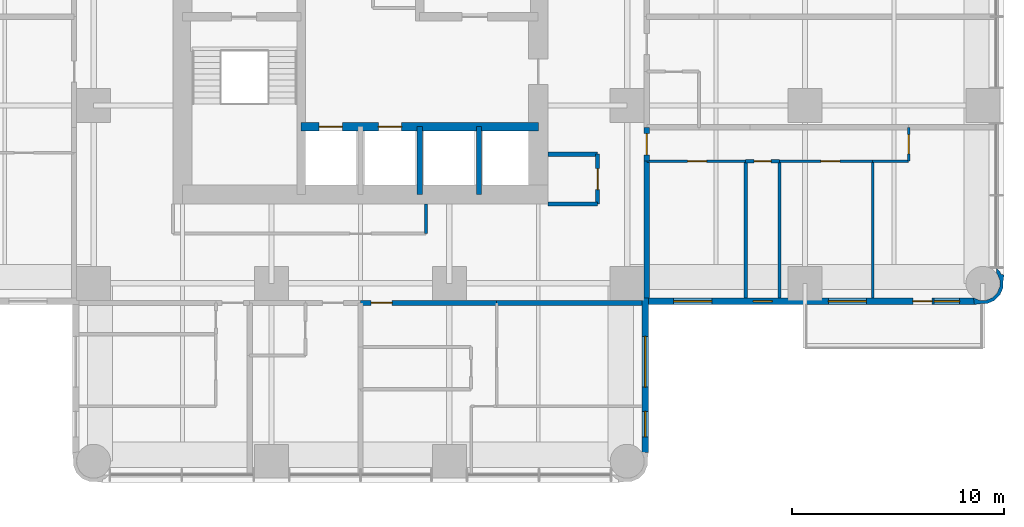
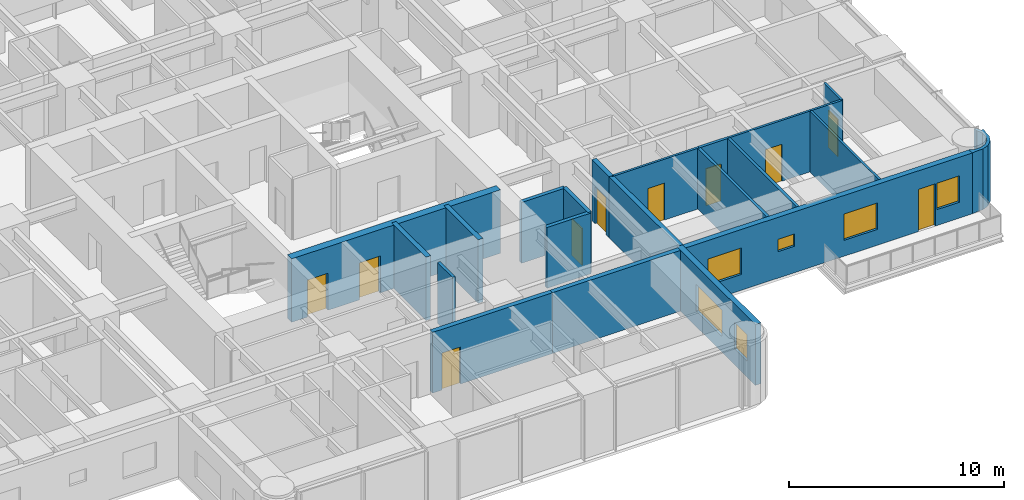
# One storey, part 9 of 14: 22 walls, 10 doors, 6 windows, 16 openings.
"""IFC4 building model written with IfcOpenShell, lengths in metres."""

from ifc_helpers import new_model, si_unit, direction, frame, frame_2d, origin, place, context, subcontext, project, spatial, polyline, rectangle, outline, extrude, material, layer, layer_set, type_object, element, fill, save


model = new_model("IFC4")

# Units and contexts
model_context = context("Model", 3, precision=1e-05, world=origin(), true_north=direction((0.0, 1.0)))
body_context = subcontext(model_context, "Body", "Model", "MODEL_VIEW")
ifc_project = project(units=[si_unit("LENGTHUNIT", "METRE"), si_unit("AREAUNIT", "SQUARE_METRE"), si_unit("VOLUMEUNIT", "CUBIC_METRE"), si_unit("PLANEANGLEUNIT", "RADIAN"), si_unit("MASSUNIT", "GRAM", prefix="KILO")], contexts=[model_context])

# Site, building, storey
site_placement = place(None, origin())
site = spatial("IfcSite", under=ifc_project, at=site_placement, CompositionType="ELEMENT")
building_placement = place(site_placement, origin())
building = spatial("IfcBuilding", under=site, at=building_placement, Name="Torre Alcanfor", CompositionType="ELEMENT")
storey_placement = place(building_placement, frame((0.0, 0.0, 166.5)))
storey = spatial("IfcBuildingStorey", under=building, at=storey_placement, Name="L43", CompositionType="ELEMENT", Elevation=166.5)

# Wall, opening, door
ifc_material_1 = material(Name="Concrete block masonry, hollow blocks NMX-C-404 9 MPa", Category="masonry")
ifc_layer_1 = layer(ifc_material_1, 0.25)
ifc_layer_set_1 = layer_set([ifc_layer_1], Name="Apartment entrance wall 250 EI 60")
wall_type_1 = type_object("IfcWallType", Name="Apartment entrance wall 250 EI 60", PredefinedType="PARTITIONING", material=ifc_layer_set_1)
wall_1_placement = place(storey_placement, frame((42.925048828125, 24.1708984375, 0.0), z_axis=(0.0, 0.0, 1.0), x_axis=(0.0, -1.0, 0.0)))
wall_1 = element("IfcWall", 1, at=wall_1_placement, inside=storey, type_object=wall_type_1, Name="Partition L43-CORR / L43-E2B-HALL", PredefinedType="PARTITIONING", context=body_context, shape_type="SweptSolid", body=[
    extrude(rectangle(XDim=1.599853515625, YDim=0.25, at=frame_2d((0.7998046875, 0.0))), origin(), (0.0, 0.0, 1.0), 3.449951171875),
])
opening_1_placement = place(wall_1_placement, frame((0.300048828125, 0.0, 0.0)))
opening_1 = element("IfcOpeningElement", 2, at=opening_1_placement, cuts=wall_1, Name="Opening D-A1", PredefinedType="OPENING", context=body_context, shape_type="SweptSolid", body=[
    extrude(rectangle(XDim=1.0, YDim=2.10009765625, at=frame_2d((0.5, 1.050048828125))), frame((0.0, 0.135009765625, 0.0), z_axis=(0.0, -1.0, 0.0), x_axis=(1.0, 0.0, 0.0)), (0.0, 0.0, 1.0), 0.27001953125),
])
ifc_material_2 = material(Name="Galvanised steel sheet ASTM A653", Category="steel")
door_type_1 = type_object("IfcDoorType", Name="Apartment entrance door FD60 1000x2100", OperationType="SINGLE_SWING_LEFT", PredefinedType="DOOR", material=ifc_material_2)
door_1_placement = place(opening_1_placement, origin())
door_1 = element("IfcDoor", 3, at=door_1_placement, inside=storey, type_object=door_type_1, Name="Apartment entrance L43-E2B", OperationType="SINGLE_SWING_LEFT", OverallHeight=2.10009765625, OverallWidth=1.0, PredefinedType="DOOR", context=body_context, shape_type="SweptSolid", body=[
    extrude(rectangle(XDim=1.0, YDim=2.10009765625, at=frame_2d((0.5, 1.050048828125))), frame((0.0, 0.02490234375, 0.0), z_axis=(0.0, -1.0, 0.0), x_axis=(1.0, 0.0, 0.0)), (0.0, 0.0, 1.0), 0.050048828125),
])
fill(opening_1, door_1)

# Wall
wall_2_placement = place(storey_placement, frame((42.925048828125, 22.571044921875, 0.0), z_axis=(0.0, 0.0, 1.0), x_axis=(0.0, -1.0, 0.0)))
element("IfcWall", 4, at=wall_2_placement, inside=storey, type_object=wall_type_1, Name="Partition L43-CORR / L43-E2B-MASTER", PredefinedType="PARTITIONING", context=body_context, shape_type="SweptSolid", body=[
    extrude(rectangle(XDim=6.470947265625, YDim=0.25, at=frame_2d((3.2353515625, 0.0))), origin(), (0.0, 0.0, 1.0), 3.449951171875),
])

# Wall, opening, door
wall_3_placement = place(storey_placement, frame((35.8291015625, 15.875, 0.0), z_axis=(0.0, 0.0, 1.0), x_axis=(-1.0, 0.0, 0.0)))
wall_3 = element("IfcWall", 5, at=wall_3_placement, inside=storey, type_object=wall_type_1, Name="Partition L43-CORR / L43-S1-LIVING", PredefinedType="PARTITIONING", context=body_context, shape_type="SweptSolid", body=[
    extrude(rectangle(XDim=6.42919921875, YDim=0.25, at=frame_2d((3.214599609375, 0.0))), origin(), (0.0, 0.0, 1.0), 3.449951171875),
])
opening_2_placement = place(wall_3_placement, frame((4.928955078125, 0.0, 0.0)))
opening_2 = element("IfcOpeningElement", 6, at=opening_2_placement, cuts=wall_3, Name="Opening D-A1", PredefinedType="OPENING", context=body_context, shape_type="SweptSolid", body=[
    extrude(rectangle(XDim=1.0, YDim=2.10009765625, at=frame_2d((0.5, 1.050048828125))), frame((0.0, 0.135009765625, 0.0), z_axis=(0.0, -1.0, 0.0), x_axis=(1.0, 0.0, 0.0)), (0.0, 0.0, 1.0), 0.27001953125),
])
door_2_placement = place(opening_2_placement, origin())
door_2 = element("IfcDoor", 7, at=door_2_placement, inside=storey, type_object=door_type_1, Name="Apartment entrance L43-S1", OperationType="SINGLE_SWING_RIGHT", OverallHeight=2.10009765625, OverallWidth=1.0, PredefinedType="DOOR", context=body_context, shape_type="SweptSolid", body=[
    extrude(rectangle(XDim=1.0, YDim=2.10009765625, at=frame_2d((0.5, 1.050048828125))), frame((0.0, 0.02490234375, 0.0), z_axis=(0.0, -1.0, 0.0), x_axis=(1.0, 0.0, 0.0)), (0.0, 0.0, 1.0), 0.050048828125),
])
fill(opening_2, door_2)

# Wall
wall_4_placement = place(storey_placement, frame((42.699951171875, 15.875, 0.0), z_axis=(0.0, 0.0, 1.0), x_axis=(-1.0, 0.0, 0.0)))
element("IfcWall", 8, at=wall_4_placement, inside=storey, type_object=wall_type_1, Name="Partition L43-CORR / L43-S1-BED2", PredefinedType="PARTITIONING", context=body_context, shape_type="SweptSolid", body=[
    extrude(rectangle(XDim=6.870849609375, YDim=0.25, at=frame_2d((3.435546875, 0.0))), origin(), (0.0, 0.0, 1.0), 3.449951171875),
])

# Wall, opening, door
ifc_material_3 = material(Name="Gypsum board on steel studs", Category="steel")
ifc_layer_2 = layer(ifc_material_3, 0.1201171875)
ifc_layer_set_2 = layer_set([ifc_layer_2], Name="Apartment partition 120")
wall_type_2 = type_object("IfcWallType", Name="Apartment partition 120", PredefinedType="PARTITIONING", material=ifc_layer_set_2)
wall_5_placement = place(storey_placement, frame((47.60009765625, 22.571044921875, 0.0), z_axis=(0.0, 0.0, 1.0), x_axis=(-1.0, 0.0, 0.0)))
wall_5 = element("IfcWall", 9, at=wall_5_placement, inside=storey, type_object=wall_type_2, Name="Partition L43-E2B-HALL / L43-E2B-MASTER", PredefinedType="PARTITIONING", context=body_context, shape_type="SweptSolid", body=[
    extrude(rectangle(XDim=4.675048828125, YDim=0.1201171875, at=frame_2d((2.33740234375, 0.0))), origin(), (0.0, 0.0, 1.0), 3.449951171875),
])
opening_3_placement = place(wall_5_placement, frame((1.85009765625, 0.0, 0.0)))
opening_3 = element("IfcOpeningElement", 10, at=opening_3_placement, cuts=wall_5, Name="Opening D-R1", PredefinedType="OPENING", context=body_context, shape_type="SweptSolid", body=[
    extrude(rectangle(XDim=0.89990234375, YDim=2.10009765625, at=frame_2d((0.449951171875, 1.050048828125))), frame((0.0, 0.070068359375, 0.0), z_axis=(0.0, -1.0, 0.0), x_axis=(1.0, 0.0, 0.0)), (0.0, 0.0, 1.0), 0.14013671875),
])
ifc_material_4 = material(Name="Timber", Category="wood")
door_type_2 = type_object("IfcDoorType", Name="Internal door 900x2100", OperationType="SINGLE_SWING_LEFT", PredefinedType="DOOR", material=ifc_material_4)
door_3_placement = place(opening_3_placement, origin())
door_3 = element("IfcDoor", 11, at=door_3_placement, inside=storey, type_object=door_type_2, Name="Door L43-E2B master", OperationType="SINGLE_SWING_LEFT", OverallHeight=2.10009765625, OverallWidth=0.89990234375, PredefinedType="DOOR", context=body_context, shape_type="SweptSolid", body=[
    extrude(rectangle(XDim=0.89990234375, YDim=2.10009765625, at=frame_2d((0.449951171875, 1.050048828125))), frame((0.0, 0.02490234375, 0.0), z_axis=(0.0, -1.0, 0.0), x_axis=(1.0, 0.0, 0.0)), (0.0, 0.0, 1.0), 0.050048828125),
])
fill(opening_3, door_3)

wall_6_placement = place(storey_placement, frame((53.60009765625, 22.571044921875, 0.0), z_axis=(0.0, 0.0, 1.0), x_axis=(-1.0, 0.0, 0.0)))
wall_6 = element("IfcWall", 12, at=wall_6_placement, inside=storey, type_object=wall_type_2, Name="Partition L43-E2B-HALL / L43-E2B-STUDY", PredefinedType="PARTITIONING", context=body_context, shape_type="SweptSolid", body=[
    extrude(rectangle(XDim=4.400146484375, YDim=0.1201171875, at=frame_2d((2.2001953125, 0.0))), origin(), (0.0, 0.0, 1.0), 3.449951171875),
])
opening_4_placement = place(wall_6_placement, frame((1.550048828125, 0.0, 0.0)))
opening_4 = element("IfcOpeningElement", 13, at=opening_4_placement, cuts=wall_6, Name="Opening D-R1", PredefinedType="OPENING", context=body_context, shape_type="SweptSolid", body=[
    extrude(rectangle(XDim=0.89990234375, YDim=2.10009765625, at=frame_2d((0.449951171875, 1.050048828125))), frame((0.0, 0.070068359375, 0.0), z_axis=(0.0, -1.0, 0.0), x_axis=(1.0, 0.0, 0.0)), (0.0, 0.0, 1.0), 0.14013671875),
])
door_4_placement = place(opening_4_placement, origin())
door_4 = element("IfcDoor", 14, at=door_4_placement, inside=storey, type_object=door_type_2, Name="Door L43-E2B study", OperationType="SINGLE_SWING_LEFT", OverallHeight=2.10009765625, OverallWidth=0.89990234375, PredefinedType="DOOR", context=body_context, shape_type="SweptSolid", body=[
    extrude(rectangle(XDim=0.89990234375, YDim=2.10009765625, at=frame_2d((0.449951171875, 1.050048828125))), frame((0.0, 0.02490234375, 0.0), z_axis=(0.0, -1.0, 0.0), x_axis=(1.0, 0.0, 0.0)), (0.0, 0.0, 1.0), 0.050048828125),
])
fill(opening_4, door_4)

# Wall
wall_7_placement = place(storey_placement, frame((55.300048828125, 22.571044921875, 0.0), z_axis=(0.0, 0.0, 1.0), x_axis=(-1.0, 0.0, 0.0)))
element("IfcWall", 15, at=wall_7_placement, inside=storey, type_object=wall_type_2, Name="Partition L43-E2B-HALL / L43-E2B-KITCHEN", PredefinedType="PARTITIONING", context=body_context, shape_type="SweptSolid", body=[
    extrude(rectangle(XDim=1.699951171875, YDim=0.1201171875, at=frame_2d((0.85009765625, 0.0))), origin(), (0.0, 0.0, 1.0), 3.449951171875),
])

# Wall, opening, door
wall_8_placement = place(storey_placement, frame((55.300048828125, 24.1708984375, 0.0), z_axis=(0.0, 0.0, 1.0), x_axis=(0.0, -1.0, 0.0)))
wall_8 = element("IfcWall", 16, at=wall_8_placement, inside=storey, type_object=wall_type_2, Name="Partition L43-E2B-HALL / L43-E2B-LIVING", PredefinedType="PARTITIONING", context=body_context, shape_type="SweptSolid", body=[
    extrude(rectangle(XDim=1.599853515625, YDim=0.1201171875, at=frame_2d((0.7998046875, 0.0))), origin(), (0.0, 0.0, 1.0), 3.449951171875),
])
opening_5_placement = place(wall_8_placement, frame((0.35009765625, 0.0, 0.0)))
opening_5 = element("IfcOpeningElement", 17, at=opening_5_placement, cuts=wall_8, Name="Opening D-R1", PredefinedType="OPENING", context=body_context, shape_type="SweptSolid", body=[
    extrude(rectangle(XDim=0.89990234375, YDim=2.10009765625, at=frame_2d((0.449951171875, 1.050048828125))), frame((0.0, 0.070068359375, 0.0), z_axis=(0.0, -1.0, 0.0), x_axis=(1.0, 0.0, 0.0)), (0.0, 0.0, 1.0), 0.14013671875),
])
door_5_placement = place(opening_5_placement, origin())
door_5 = element("IfcDoor", 18, at=door_5_placement, inside=storey, type_object=door_type_2, Name="Door L43-E2B living", OperationType="SINGLE_SWING_LEFT", OverallHeight=2.10009765625, OverallWidth=0.89990234375, PredefinedType="DOOR", context=body_context, shape_type="SweptSolid", body=[
    extrude(rectangle(XDim=0.89990234375, YDim=2.10009765625, at=frame_2d((0.449951171875, 1.050048828125))), frame((0.0, 0.02490234375, 0.0), z_axis=(0.0, -1.0, 0.0), x_axis=(1.0, 0.0, 0.0)), (0.0, 0.0, 1.0), 0.050048828125),
])
fill(opening_5, door_5)

# Wall
wall_9_placement = place(storey_placement, frame((53.60009765625, 22.571044921875, 0.0), z_axis=(0.0, 0.0, 1.0), x_axis=(0.0, -1.0, 0.0)))
element("IfcWall", 19, at=wall_9_placement, inside=storey, type_object=wall_type_2, Name="Partition L43-E2B-STUDY / L43-E2B-KITCHEN", PredefinedType="PARTITIONING", context=body_context, shape_type="SweptSolid", body=[
    extrude(rectangle(XDim=6.470947265625, YDim=0.1201171875, at=frame_2d((3.2353515625, 0.0))), origin(), (0.0, 0.0, 1.0), 3.449951171875),
])

# Wall, openings, doors
ifc_material_5 = material(Name="Concrete f'c 70 MPa", Category="concrete")
ifc_layer_3 = layer(ifc_material_5, 0.39990234375)
ifc_layer_set_3 = layer_set([ifc_layer_3], Name="Core inner wall 400 f'c70")
wall_type_3 = type_object("IfcWallType", Name="Core inner wall 400 f'c70", PredefinedType="SHEAR", material=ifc_layer_set_3)
wall_10_placement = place(storey_placement, frame((26.60009765625, 24.199951171875, 0.0), z_axis=(0.0, 0.0, 1.0), x_axis=(1.0, 0.0, 0.0)))
wall_10 = element("IfcWall", 20, at=wall_10_placement, inside=storey, type_object=wall_type_3, Name="Core wall Y242 L43", PredefinedType="SHEAR", context=body_context, shape_type="SweptSolid", body=[
    extrude(rectangle(XDim=11.199951171875, YDim=0.39990234375, at=frame_2d((5.60009765625, 0.0))), origin(), (0.0, 0.0, 1.0), 3.60009765625),
])
opening_6_placement = place(wall_10_placement, frame((0.85009765625, 0.0, 0.0)))
opening_6 = element("IfcOpeningElement", 21, at=opening_6_placement, cuts=wall_10, Name="Opening LD1", PredefinedType="OPENING", context=body_context, shape_type="SweptSolid", body=[
    extrude(rectangle(XDim=1.10009765625, YDim=2.10009765625, at=frame_2d((0.550048828125, 1.050048828125))), frame((0.0, 0.2099609375, 0.0), z_axis=(0.0, -1.0, 0.0), x_axis=(1.0, 0.0, 0.0)), (0.0, 0.0, 1.0), 0.419921875),
])
opening_7_placement = place(wall_10_placement, frame((3.64990234375, 0.0, 0.0)))
opening_7 = element("IfcOpeningElement", 22, at=opening_7_placement, cuts=wall_10, Name="Opening LD1", PredefinedType="OPENING", context=body_context, shape_type="SweptSolid", body=[
    extrude(rectangle(XDim=1.10009765625, YDim=2.10009765625, at=frame_2d((0.550048828125, 1.050048828125))), frame((0.0, 0.2099609375, 0.0), z_axis=(0.0, -1.0, 0.0), x_axis=(1.0, 0.0, 0.0)), (0.0, 0.0, 1.0), 0.419921875),
])
ifc_material_6 = material(Name="Galvanised steel sheet ASTM A653", Category="steel")
door_type_3 = type_object("IfcDoorType", Name="Lift landing door 1100x2100", OperationType="DOUBLE_DOOR_SLIDING", PredefinedType="DOOR", material=ifc_material_6)
door_6_placement = place(opening_6_placement, origin())
door_6 = element("IfcDoor", 23, at=door_6_placement, inside=storey, type_object=door_type_3, Name="Lift landing door PA1 L43", OperationType="DOUBLE_DOOR_SLIDING", OverallHeight=2.10009765625, OverallWidth=1.10009765625, PredefinedType="DOOR", context=body_context, shape_type="SweptSolid", body=[
    extrude(rectangle(XDim=1.10009765625, YDim=2.10009765625, at=frame_2d((0.550048828125, 1.050048828125))), frame((0.0, 0.02490234375, 0.0), z_axis=(0.0, -1.0, 0.0), x_axis=(1.0, 0.0, 0.0)), (0.0, 0.0, 1.0), 0.050048828125),
])
fill(opening_6, door_6)
door_7_placement = place(opening_7_placement, origin())
door_7 = element("IfcDoor", 24, at=door_7_placement, inside=storey, type_object=door_type_3, Name="Lift landing door PA2 L43", OperationType="DOUBLE_DOOR_SLIDING", OverallHeight=2.10009765625, OverallWidth=1.10009765625, PredefinedType="DOOR", context=body_context, shape_type="SweptSolid", body=[
    extrude(rectangle(XDim=1.10009765625, YDim=2.10009765625, at=frame_2d((0.550048828125, 1.050048828125))), frame((0.0, 0.02490234375, 0.0), z_axis=(0.0, -1.0, 0.0), x_axis=(1.0, 0.0, 0.0)), (0.0, 0.0, 1.0), 0.050048828125),
])
fill(opening_7, door_7)

# Walls
ifc_material_7 = material(Name="Concrete f'c 70 MPa", Category="concrete")
ifc_layer_4 = layer(ifc_material_7, 0.25)
ifc_layer_set_4 = layer_set([ifc_layer_4], Name="Core shaft wall 250 f'c70")
wall_type_4 = type_object("IfcWallType", Name="Core shaft wall 250 f'c70", PredefinedType="SHEAR", material=ifc_layer_set_4)
for number, where, z_axis, x_axis, name in (
    (25, (32.199951171875, 21.0, 0.0), (0.0, 0.0, 1.0), (0.0, 1.0, 0.0), "Core wall X322S L43"),
    (26, (35.0, 21.0, 0.0), (0.0, 0.0, 1.0), (0.0, 1.0, 0.0), "Core wall X350S L43"),
):
    element("IfcWall", number, at=place(storey_placement, frame(where, z_axis=z_axis, x_axis=x_axis)), inside=storey, type_object=wall_type_4, Name=name, PredefinedType="SHEAR", context=body_context, shape_type="SweptSolid", body=[
        extrude(rectangle(XDim=3.199951171875, YDim=0.25, at=frame_2d((1.60009765625, 0.0))), origin(), (0.0, 0.0, 1.0), 3.60009765625),
    ])

# Wall, openings, windows
ifc_material_8 = material(Name="Limestone cladding", Category="masonry")
ifc_layer_5 = layer(ifc_material_8, 0.0400390625, Name="Facing")
ifc_material_9 = material(Name="Ventilated air cavity")
ifc_layer_6 = layer(ifc_material_9, 0.02001953125, ventilated=True, Name="Ventilated joint")
ifc_material_10 = material(Name="Mineral wool insulation", Category="insulation")
ifc_layer_7 = layer(ifc_material_10, 0.10009765625, Name="Insulation")
ifc_material_11 = material(Name="Concrete f'c 35 MPa", Category="concrete")
ifc_layer_8 = layer(ifc_material_11, 0.139892578125, Name="Backing")
ifc_layer_set_5 = layer_set([ifc_layer_5, ifc_layer_6, ifc_layer_7, ifc_layer_8], Name="External wall stone-clad 300")
wall_type_5 = type_object("IfcWallType", Name="External wall stone-clad 300", PredefinedType="SOLIDWALL", material=ifc_layer_set_5)
wall_11_placement = place(storey_placement, frame((42.85009765625, 8.800048828125, 0.0), z_axis=(0.0, 0.0, 1.0), x_axis=(0.0, 1.0, 0.0)))
wall_11 = element("IfcWall", 27, at=wall_11_placement, inside=storey, type_object=wall_type_5, Name="External wall L43 6", PredefinedType="SOLIDWALL", context=body_context, shape_type="SweptSolid", body=[
    extrude(rectangle(XDim=7.300048828125, YDim=0.300048828125, at=frame_2d((3.64990234375, 0.0))), origin(), (0.0, 0.0, 1.0), 3.449951171875),
])
opening_8_placement = place(wall_11_placement, frame((3.10009765625, 0.0, 0.89990234375)))
opening_8 = element("IfcOpeningElement", 28, at=opening_8_placement, cuts=wall_11, Name="Opening W1", PredefinedType="OPENING", context=body_context, shape_type="SweptSolid", body=[
    extrude(rectangle(XDim=2.39990234375, YDim=1.5, at=frame_2d((1.199951171875, 0.75))), frame((0.0, 0.159912109375, 0.0), z_axis=(0.0, -1.0, 0.0), x_axis=(1.0, 0.0, 0.0)), (0.0, 0.0, 1.0), 0.320068359375),
])
opening_9_placement = place(wall_11_placement, frame((0.75, 0.0, 0.89990234375)))
opening_9 = element("IfcOpeningElement", 29, at=opening_9_placement, cuts=wall_11, Name="Opening W4", PredefinedType="OPENING", context=body_context, shape_type="SweptSolid", body=[
    extrude(rectangle(XDim=1.199951171875, YDim=1.5, at=frame_2d((0.60009765625, 0.75))), frame((0.0, 0.159912109375, 0.0), z_axis=(0.0, -1.0, 0.0), x_axis=(1.0, 0.0, 0.0)), (0.0, 0.0, 1.0), 0.320068359375),
])
ifc_material_12 = material(Name="Aluminium frame with clear double glazing", Category="aluminium")
window_type_1 = type_object("IfcWindowType", Name="Window bedroom 1200x1500", PartitioningType="SINGLE_PANEL", PredefinedType="WINDOW", material=ifc_material_12)
window_1_placement = place(opening_9_placement, origin())
window_1 = element("IfcWindow", 30, at=window_1_placement, inside=storey, type_object=window_type_1, Name="Window W4 L43-S1", OverallHeight=1.5, OverallWidth=1.199951171875, PartitioningType="SINGLE_PANEL", PredefinedType="WINDOW", context=body_context, shape_type="SweptSolid", body=[
    extrude(rectangle(XDim=1.199951171875, YDim=1.5, at=frame_2d((0.60009765625, 0.75))), frame((0.0, 0.030029296875, 0.0), z_axis=(0.0, -1.0, 0.0), x_axis=(1.0, 0.0, 0.0)), (0.0, 0.0, 1.0), 0.06005859375),
])
fill(opening_9, window_1)
ifc_material_13 = material(Name="Aluminium frame with clear double glazing", Category="aluminium")
window_type_2 = type_object("IfcWindowType", Name="Window bedroom 2400x1500", PartitioningType="SINGLE_PANEL", PredefinedType="WINDOW", material=ifc_material_13)
window_2_placement = place(opening_8_placement, origin())
window_2 = element("IfcWindow", 31, at=window_2_placement, inside=storey, type_object=window_type_2, Name="Window W1 L43-S1", OverallHeight=1.5, OverallWidth=2.39990234375, PartitioningType="SINGLE_PANEL", PredefinedType="WINDOW", context=body_context, shape_type="SweptSolid", body=[
    extrude(rectangle(XDim=2.39990234375, YDim=1.5, at=frame_2d((1.199951171875, 0.75))), frame((0.0, 0.030029296875, 0.0), z_axis=(0.0, -1.0, 0.0), x_axis=(1.0, 0.0, 0.0)), (0.0, 0.0, 1.0), 0.06005859375),
])
fill(opening_8, window_2)

# Wall, openings, door, windows
wall_12_placement = place(storey_placement, frame((43.0, 15.949951171875, 0.0), z_axis=(0.0, 0.0, 1.0), x_axis=(1.0, 0.0, 0.0)))
wall_12 = element("IfcWall", 32, at=wall_12_placement, inside=storey, type_object=wall_type_5, Name="External wall L43 7", PredefinedType="SOLIDWALL", context=body_context, shape_type="SweptSolid", body=[
    extrude(rectangle(XDim=15.39990234375, YDim=0.300048828125, at=frame_2d((7.699951171875, 0.0))), origin(), (0.0, 0.0, 1.0), 3.449951171875),
])
opening_10_placement = place(wall_12_placement, frame((1.199951171875, 0.0, 0.89990234375)))
opening_10 = element("IfcOpeningElement", 33, at=opening_10_placement, cuts=wall_12, Name="Opening W2", PredefinedType="OPENING", context=body_context, shape_type="SweptSolid", body=[
    extrude(rectangle(XDim=1.800048828125, YDim=1.5, at=frame_2d((0.89990234375, 0.75))), frame((0.0, 0.159912109375, 0.0), z_axis=(0.0, -1.0, 0.0), x_axis=(1.0, 0.0, 0.0)), (0.0, 0.0, 1.0), 0.320068359375),
])
opening_11_placement = place(wall_12_placement, frame((4.949951171875, 0.0, 1.5)))
opening_11 = element("IfcOpeningElement", 34, at=opening_11_placement, cuts=wall_12, Name="Opening W3", PredefinedType="OPENING", context=body_context, shape_type="SweptSolid", body=[
    extrude(rectangle(XDim=0.89990234375, YDim=0.699951171875, at=frame_2d((0.449951171875, 0.35009765625))), frame((0.0, 0.159912109375, 0.0), z_axis=(0.0, -1.0, 0.0), x_axis=(1.0, 0.0, 0.0)), (0.0, 0.0, 1.0), 0.320068359375),
])
opening_12_placement = place(wall_12_placement, frame((8.5, 0.0, 0.89990234375)))
opening_12 = element("IfcOpeningElement", 35, at=opening_12_placement, cuts=wall_12, Name="Opening W2", PredefinedType="OPENING", context=body_context, shape_type="SweptSolid", body=[
    extrude(rectangle(XDim=1.800048828125, YDim=1.5, at=frame_2d((0.89990234375, 0.75))), frame((0.0, 0.159912109375, 0.0), z_axis=(0.0, -1.0, 0.0), x_axis=(1.0, 0.0, 0.0)), (0.0, 0.0, 1.0), 0.320068359375),
])
opening_13_placement = place(wall_12_placement, frame((12.5, 0.0, 0.0)))
opening_13 = element("IfcOpeningElement", 36, at=opening_13_placement, cuts=wall_12, Name="Opening D-B1", PredefinedType="OPENING", context=body_context, shape_type="SweptSolid", body=[
    extrude(rectangle(XDim=0.89990234375, YDim=2.39990234375, at=frame_2d((0.449951171875, 1.199951171875))), frame((0.0, 0.159912109375, 0.0), z_axis=(0.0, -1.0, 0.0), x_axis=(1.0, 0.0, 0.0)), (0.0, 0.0, 1.0), 0.320068359375),
])
opening_14_placement = place(wall_12_placement, frame((13.5, 0.0, 0.89990234375)))
opening_14 = element("IfcOpeningElement", 37, at=opening_14_placement, cuts=wall_12, Name="Opening W4", PredefinedType="OPENING", context=body_context, shape_type="SweptSolid", body=[
    extrude(rectangle(XDim=1.199951171875, YDim=1.5, at=frame_2d((0.60009765625, 0.75))), frame((0.0, 0.159912109375, 0.0), z_axis=(0.0, -1.0, 0.0), x_axis=(1.0, 0.0, 0.0)), (0.0, 0.0, 1.0), 0.320068359375),
])
ifc_material_14 = material(Name="Aluminium and glass", Category="aluminium")
door_type_4 = type_object("IfcDoorType", Name="Balcony door glazed 900x2400", OperationType="SINGLE_SWING_LEFT", PredefinedType="DOOR", material=ifc_material_14)
door_8_placement = place(opening_13_placement, origin())
door_8 = element("IfcDoor", 38, at=door_8_placement, inside=storey, type_object=door_type_4, Name="Balcony door L43-E2", OperationType="SINGLE_SWING_LEFT", OverallHeight=2.39990234375, OverallWidth=0.89990234375, PredefinedType="DOOR", context=body_context, shape_type="SweptSolid", body=[
    extrude(rectangle(XDim=0.89990234375, YDim=2.39990234375, at=frame_2d((0.449951171875, 1.199951171875))), frame((0.0, 0.02490234375, 0.0), z_axis=(0.0, -1.0, 0.0), x_axis=(1.0, 0.0, 0.0)), (0.0, 0.0, 1.0), 0.050048828125),
])
fill(opening_13, door_8)
ifc_material_15 = material(Name="Aluminium frame with clear double glazing", Category="aluminium")
window_type_3 = type_object("IfcWindowType", Name="Window bathroom 900x700", PartitioningType="SINGLE_PANEL", PredefinedType="WINDOW", material=ifc_material_15)
window_3_placement = place(opening_11_placement, origin())
window_3 = element("IfcWindow", 39, at=window_3_placement, inside=storey, type_object=window_type_3, Name="Window W3 L43-E2", OverallHeight=0.699951171875, OverallWidth=0.89990234375, PartitioningType="SINGLE_PANEL", PredefinedType="WINDOW", context=body_context, shape_type="SweptSolid", body=[
    extrude(rectangle(XDim=0.89990234375, YDim=0.699951171875, at=frame_2d((0.449951171875, 0.35009765625))), frame((0.0, 0.030029296875, 0.0), z_axis=(0.0, -1.0, 0.0), x_axis=(1.0, 0.0, 0.0)), (0.0, 0.0, 1.0), 0.06005859375),
])
fill(opening_11, window_3)
window_4_placement = place(opening_14_placement, origin())
window_4 = element("IfcWindow", 40, at=window_4_placement, inside=storey, type_object=window_type_1, Name="Window W4 L43-E2", OverallHeight=1.5, OverallWidth=1.199951171875, PartitioningType="SINGLE_PANEL", PredefinedType="WINDOW", context=body_context, shape_type="SweptSolid", body=[
    extrude(rectangle(XDim=1.199951171875, YDim=1.5, at=frame_2d((0.60009765625, 0.75))), frame((0.0, 0.030029296875, 0.0), z_axis=(0.0, -1.0, 0.0), x_axis=(1.0, 0.0, 0.0)), (0.0, 0.0, 1.0), 0.06005859375),
])
fill(opening_14, window_4)
ifc_material_16 = material(Name="Aluminium frame with clear double glazing", Category="aluminium")
window_type_4 = type_object("IfcWindowType", Name="Window bedroom 1800x1500", PartitioningType="SINGLE_PANEL", PredefinedType="WINDOW", material=ifc_material_16)
window_5_placement = place(opening_10_placement, origin())
window_5 = element("IfcWindow", 41, at=window_5_placement, inside=storey, type_object=window_type_4, Name="Window W2 L43-E2", OverallHeight=1.5, OverallWidth=1.800048828125, PartitioningType="SINGLE_PANEL", PredefinedType="WINDOW", context=body_context, shape_type="SweptSolid", body=[
    extrude(rectangle(XDim=1.800048828125, YDim=1.5, at=frame_2d((0.89990234375, 0.75))), frame((0.0, 0.030029296875, 0.0), z_axis=(0.0, -1.0, 0.0), x_axis=(1.0, 0.0, 0.0)), (0.0, 0.0, 1.0), 0.06005859375),
])
fill(opening_10, window_5)
window_6_placement = place(opening_12_placement, origin())
window_6 = element("IfcWindow", 42, at=window_6_placement, inside=storey, type_object=window_type_4, Name="Window W2 L43-E2", OverallHeight=1.5, OverallWidth=1.800048828125, PartitioningType="SINGLE_PANEL", PredefinedType="WINDOW", context=body_context, shape_type="SweptSolid", body=[
    extrude(rectangle(XDim=1.800048828125, YDim=1.5, at=frame_2d((0.89990234375, 0.75))), frame((0.0, 0.030029296875, 0.0), z_axis=(0.0, -1.0, 0.0), x_axis=(1.0, 0.0, 0.0)), (0.0, 0.0, 1.0), 0.06005859375),
])
fill(opening_12, window_6)

# Wall
ifc_material_17 = material(Name="Concrete block masonry, hollow blocks NMX-C-404 9 MPa", Category="masonry")
ifc_layer_9 = layer(ifc_material_17, 0.199951171875)
ifc_layer_set_6 = layer_set([ifc_layer_9], Name="Plant room wall 200 EI 60")
wall_type_6 = type_object("IfcWallType", Name="Plant room wall 200 EI 60", PredefinedType="PARTITIONING", material=ifc_layer_set_6)
wall_13_placement = place(storey_placement, frame((38.25, 20.550048828125, 0.0), z_axis=(0.0, 0.0, 1.0), x_axis=(1.0, 0.0, 0.0)))
element("IfcWall", 43, at=wall_13_placement, inside=storey, type_object=wall_type_6, Name="Partition L43-CORR / L43-G02", PredefinedType="PARTITIONING", context=body_context, shape_type="SweptSolid", body=[
    extrude(rectangle(XDim=2.35009765625, YDim=0.199951171875, at=frame_2d((1.175048828125, 0.0))), origin(), (0.0, 0.0, 1.0), 3.449951171875),
])

# Wall, opening, door
wall_14_placement = place(storey_placement, frame((40.60009765625, 20.550048828125, 0.0), z_axis=(0.0, 0.0, 1.0), x_axis=(0.0, 1.0, 0.0)))
wall_14 = element("IfcWall", 44, at=wall_14_placement, inside=storey, type_object=wall_type_6, Name="Partition L43-CORR / L43-G02", PredefinedType="PARTITIONING", context=body_context, shape_type="SweptSolid", body=[
    extrude(rectangle(XDim=2.349853515625, YDim=0.199951171875, at=frame_2d((1.1748046875, 0.0))), origin(), (0.0, 0.0, 1.0), 3.449951171875),
])
opening_15_placement = place(wall_14_placement, frame((0.675048828125, 0.0, 0.0)))
opening_15 = element("IfcOpeningElement", 45, at=opening_15_placement, cuts=wall_14, Name="Opening D-K1", PredefinedType="OPENING", context=body_context, shape_type="SweptSolid", body=[
    extrude(rectangle(XDim=1.0, YDim=2.10009765625, at=frame_2d((0.5, 1.050048828125))), frame((0.0, 0.10986328125, 0.0), z_axis=(0.0, -1.0, 0.0), x_axis=(1.0, 0.0, 0.0)), (0.0, 0.0, 1.0), 0.219970703125),
])
ifc_material_18 = material(Name="Galvanised steel sheet ASTM A653", Category="steel")
door_type_5 = type_object("IfcDoorType", Name="Core room door FD60 1000x2100", OperationType="SINGLE_SWING_LEFT", PredefinedType="DOOR", material=ifc_material_18)
door_9_placement = place(opening_15_placement, origin())
door_9 = element("IfcDoor", 46, at=door_9_placement, inside=storey, type_object=door_type_5, Name="Door L43-G02 refuse and recycling store", OperationType="SINGLE_SWING_LEFT", OverallHeight=2.10009765625, OverallWidth=1.0, PredefinedType="DOOR", context=body_context, shape_type="SweptSolid", body=[
    extrude(rectangle(XDim=1.0, YDim=2.10009765625, at=frame_2d((0.5, 1.050048828125))), frame((0.0, 0.02490234375, 0.0), z_axis=(0.0, -1.0, 0.0), x_axis=(1.0, 0.0, 0.0)), (0.0, 0.0, 1.0), 0.050048828125),
])
fill(opening_15, door_9)

# Walls
wall_15_placement = place(storey_placement, frame((40.60009765625, 22.89990234375, 0.0), z_axis=(0.0, 0.0, 1.0), x_axis=(-1.0, 0.0, 0.0)))
element("IfcWall", 47, at=wall_15_placement, inside=storey, type_object=wall_type_6, Name="Partition L43-CORR / L43-G02", PredefinedType="PARTITIONING", context=body_context, shape_type="SweptSolid", body=[
    extrude(rectangle(XDim=2.35009765625, YDim=0.199951171875, at=frame_2d((1.175048828125, 0.0))), origin(), (0.0, 0.0, 1.0), 3.449951171875),
])
ifc_material_19 = material(Name="Concrete block masonry, hollow blocks NMX-C-404 9 MPa", Category="masonry")
ifc_layer_10 = layer(ifc_material_19, 0.14990234375)
ifc_layer_set_7 = layer_set([ifc_layer_10], Name="Residents' room partition 150")
wall_type_7 = type_object("IfcWallType", Name="Residents' room partition 150", PredefinedType="PARTITIONING", material=ifc_layer_set_7)
wall_16_placement = place(storey_placement, frame((32.5, 19.14990234375, 0.0), z_axis=(0.0, 0.0, 1.0), x_axis=(0.0, 1.0, 0.0)))
element("IfcWall", 48, at=wall_16_placement, inside=storey, type_object=wall_type_7, Name="Partition L43-CORR / L43-G04", PredefinedType="PARTITIONING", context=body_context, shape_type="SweptSolid", body=[
    extrude(rectangle(XDim=1.400146484375, YDim=0.14990234375, at=frame_2d((0.7001953125, 0.0))), origin(), (0.0, 0.0, 1.0), 3.449951171875),
])
ifc_layer_11 = layer(ifc_material_8, 0.0400390625, Name="Facing")
ifc_layer_12 = layer(ifc_material_9, 0.02001953125, ventilated=True, Name="Ventilated joint")
ifc_layer_13 = layer(ifc_material_10, 0.10009765625, Name="Insulation")
ifc_layer_14 = layer(ifc_material_11, 0.139892578125, Name="Backing")
ifc_layer_set_8 = layer_set([ifc_layer_11, ifc_layer_12, ifc_layer_13, ifc_layer_14], Name="Rounded corner pier stone-clad 300")
wall_type_8 = type_object("IfcWallType", Name="Rounded corner pier stone-clad 300", PredefinedType="SOLIDWALL", material=ifc_layer_set_8)
wall_17_placement = place(storey_placement, frame((58.473176205, 15.982940512, 0.0), z_axis=(0.0, 0.0, 1.0), x_axis=(0.93923434088, -0.343276641956, 0.0)))
element("IfcWall", 49, at=wall_17_placement, inside=storey, type_object=wall_type_8, Name="Corner pier L43 17", PredefinedType="SOLIDWALL", context=body_context, shape_type="SweptSolid", body=[
    extrude(outline(polyline([(0.8284730010654036, 1.5985425833407376), (0.696550254150438, 1.5690420941096577), (0.604150309609554, 1.6696580493968027), (0.3940514645210207, 1.7672868618913617), (0.47123842429676593, 1.5560967183488668), (0.5084988752141064, 1.538782517623304), (0.7242236800575332, 1.304144262222244), (0.8335928250166512, 1.004900899222292), (0.8200123708562836, 0.6864548699061994), (0.6857181921193565, 0.39745154052212156), (0.4509961289443815, 0.18195604093769838), (0.15175276594442946, 0.07258689597858048), (-0.11627514476265094, 0.08405951949541965), (-0.12738305855443924, 0.07818018621272643), (-0.1459567845337466, 0.07139175652560875), (-0.006038883692560254, -0.1969313551897346), (0.2657016888450987, -0.05498461418889633), (0.5353646734335612, 0.04357332793518234), (0.8165937238928549, 0.3018001061266741), (0.9775139424010254, 0.6481031205348973), (0.9937655592370759, 1.0296500763704852), (0.8951238093390822, 1.2995423662179517), (0.8284730010654036, 1.5985425833407376)])), origin(), (0.0, 0.0, 1.0), 3.449951171875),
])

# Wall, opening, door
ifc_material_20 = material(Name="Cement board on steel studs", Category="steel")
ifc_layer_15 = layer(ifc_material_20, 0.14990234375)
ifc_layer_set_9 = layer_set([ifc_layer_15], Name="Wet area partition 150")
wall_type_9 = type_object("IfcWallType", Name="Wet area partition 150", PredefinedType="PARTITIONING", material=ifc_layer_set_9)
wall_18_placement = place(storey_placement, frame((49.199951171875, 22.571044921875, 0.0), z_axis=(0.0, 0.0, 1.0), x_axis=(-1.0, 0.0, 0.0)))
wall_18 = element("IfcWall", 50, at=wall_18_placement, inside=storey, type_object=wall_type_9, Name="Partition L43-E2B-HALL / L43-E2B-BATH", PredefinedType="PARTITIONING", context=body_context, shape_type="SweptSolid", body=[
    extrude(rectangle(XDim=1.599853515625, YDim=0.14990234375, at=frame_2d((0.7998046875, 0.0))), origin(), (0.0, 0.0, 1.0), 3.449951171875),
])
opening_16_placement = place(wall_18_placement, frame((0.39990234375, 0.0, 0.0)))
opening_16 = element("IfcOpeningElement", 51, at=opening_16_placement, cuts=wall_18, Name="Opening D-R2", PredefinedType="OPENING", context=body_context, shape_type="SweptSolid", body=[
    extrude(rectangle(XDim=0.800048828125, YDim=2.10009765625, at=frame_2d((0.39990234375, 1.050048828125))), frame((0.0, 0.0849609375, 0.0), z_axis=(0.0, -1.0, 0.0), x_axis=(1.0, 0.0, 0.0)), (0.0, 0.0, 1.0), 0.169921875),
])
ifc_material_21 = material(Name="Timber", Category="wood")
door_type_6 = type_object("IfcDoorType", Name="Bathroom door 800x2100", OperationType="SINGLE_SWING_LEFT", PredefinedType="DOOR", material=ifc_material_21)
door_10_placement = place(opening_16_placement, origin())
door_10 = element("IfcDoor", 52, at=door_10_placement, inside=storey, type_object=door_type_6, Name="Door L43-E2B bath", OperationType="SINGLE_SWING_LEFT", OverallHeight=2.10009765625, OverallWidth=0.800048828125, PredefinedType="DOOR", context=body_context, shape_type="SweptSolid", body=[
    extrude(rectangle(XDim=0.800048828125, YDim=2.10009765625, at=frame_2d((0.39990234375, 1.050048828125))), frame((0.0, 0.02490234375, 0.0), z_axis=(0.0, -1.0, 0.0), x_axis=(1.0, 0.0, 0.0)), (0.0, 0.0, 1.0), 0.050048828125),
])
fill(opening_16, door_10)

# Walls
for number, where, z_axis, x_axis, name in (
    (53, (47.60009765625, 22.571044921875, 0.0), (0.0, 0.0, 1.0), (0.0, -1.0, 0.0), "Partition L43-E2B-MASTER / L43-E2B-BATH"),
    (54, (49.199951171875, 22.571044921875, 0.0), (0.0, 0.0, 1.0), (0.0, -1.0, 0.0), "Partition L43-E2B-BATH / L43-E2B-STUDY"),
):
    element("IfcWall", number, at=place(storey_placement, frame(where, z_axis=z_axis, x_axis=x_axis)), inside=storey, type_object=wall_type_9, Name=name, PredefinedType="PARTITIONING", context=body_context, shape_type="SweptSolid", body=[
        extrude(rectangle(XDim=6.470947265625, YDim=0.14990234375, at=frame_2d((3.2353515625, 0.0))), origin(), (0.0, 0.0, 1.0), 3.449951171875),
    ])

save(model, "model.ifc")
